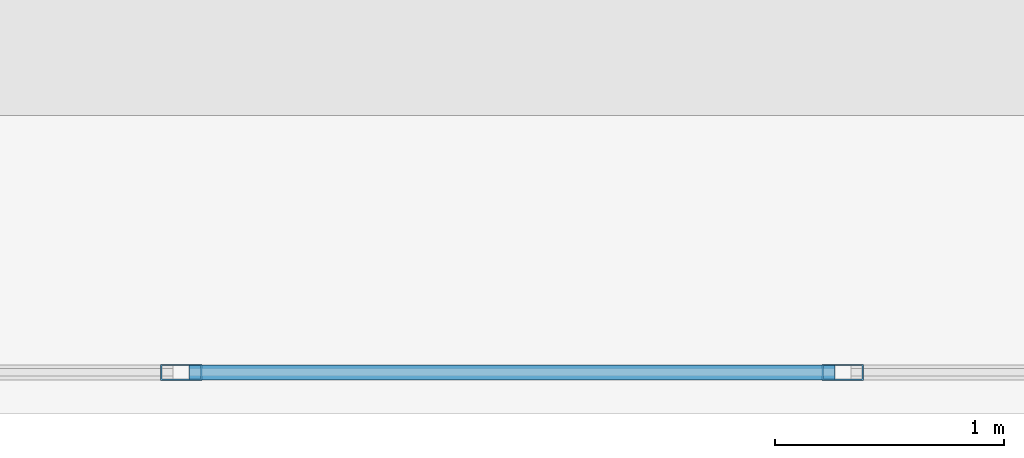
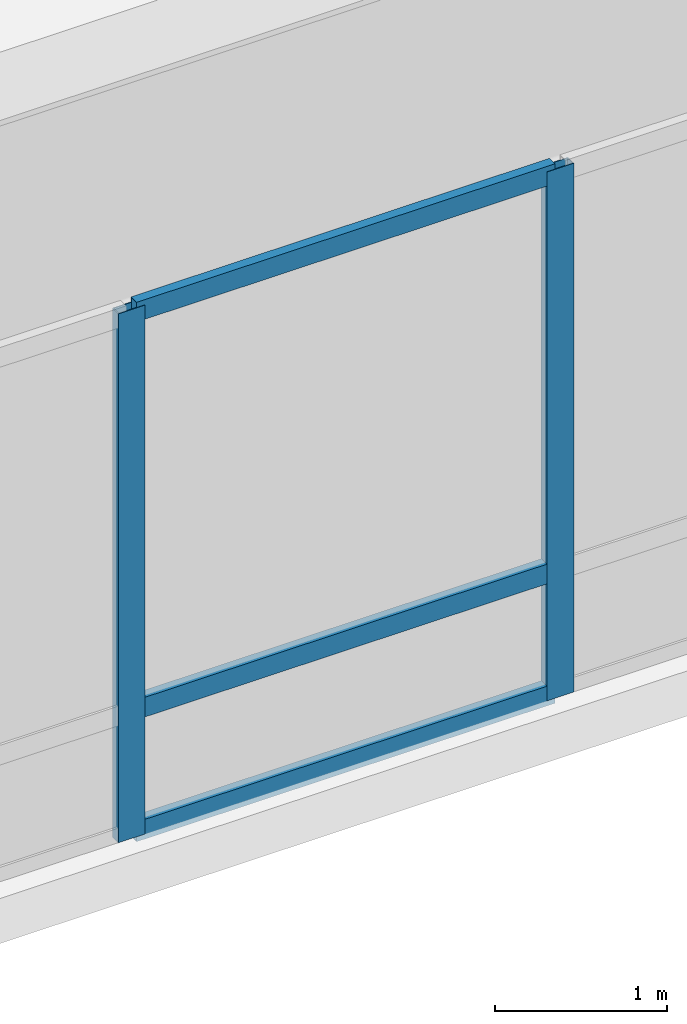
# One storey, part 6 of 17: 5 members, 1 element without a shape of its own.
"""IFC4 building model written with IfcOpenShell, lengths in metres."""

from ifc_helpers import new_model, si_unit, direction, frame, origin, origin_2d, place, context, subcontext, project, spatial, hollow_rectangle, extrude, material, layer, layer_set, material_profile, profile_set, type_object, element, aggregate, save


model = new_model("IFC4")

# Units and contexts
model_context = context("Model", 3, precision=1e-05, world=origin(), true_north=direction((0.0, 1.0)))
body_context = subcontext(model_context, "Body", "Model", "MODEL_VIEW")
ifc_project = project(units=[si_unit("LENGTHUNIT", "METRE"), si_unit("AREAUNIT", "SQUARE_METRE"), si_unit("VOLUMEUNIT", "CUBIC_METRE"), si_unit("PLANEANGLEUNIT", "RADIAN"), si_unit("MASSUNIT", "GRAM", prefix="KILO"), si_unit("THERMODYNAMICTEMPERATUREUNIT", "KELVIN"), si_unit("POWERUNIT", "WATT")], contexts=[model_context])

# Site, building, storey
site_placement = place(None, origin())
site = spatial("IfcSite", under=ifc_project, at=site_placement, CompositionType="ELEMENT")
building_placement = place(site_placement, origin())
building = spatial("IfcBuilding", under=site, at=building_placement, Name="Ocrelia Relay Tower", CompositionType="ELEMENT")
storey_placement = place(building_placement, frame((0.0, 0.0, 15.60009765625)))
storey = spatial("IfcBuildingStorey", under=building, at=storey_placement, Name="L03", CompositionType="ELEMENT", Elevation=15.60009765625)

# Curtain wall, members
ifc_material_1 = material(Name="Aluminium and solar-control low-E glass", Category="aluminium")
ifc_layer = layer(ifc_material_1, 0.179931640625, Name="Aluminium and solar-control low-E glass")
ifc_layer_set = layer_set([ifc_layer], Name="Aluminium and solar-control low-E glass")
curtain_wall_type = type_object("IfcCurtainWallType", Name="CW-SYS-POD-GALL", PredefinedType="NOTDEFINED", material=ifc_layer_set)
curtain_wall_placement = place(storey_placement, origin())
curtain_wall = element("IfcCurtainWall", 1, at=curtain_wall_placement, inside=storey, type_object=curtain_wall_type, Name="L03 South Over-Arch Curtain Wall East", PredefinedType="NOTDEFINED")
ifc_material_2 = material(Name="Anodised bronze aluminium", Category="aluminium")
ifc_material_profile_1 = material_profile(ifc_material_2, hollow_rectangle(XDim=0.070068359375, YDim=0.179931640625, WallThickness=0.006103515625, at=origin_2d()), Name="CW-MUL-180x70")
ifc_profile_set_1 = profile_set([ifc_material_profile_1], Name="Anodised bronze aluminium")
member_type_1 = type_object("IfcMemberType", Name="CW-SYS-POD-GALL-MUL", PredefinedType="MULLION", material=ifc_profile_set_1)
member_1_placement = place(storey_placement, frame((36.88330078125, 0.179931640625, 0.0), z_axis=(0.0, 0.0, 1.0), x_axis=(0.0, 1.0, 0.0)))
member_1 = element("IfcMember", 2, at=member_1_placement, type_object=member_type_1, Name="CW-PG mullion 2", PredefinedType="MULLION", context=body_context, shape_type="SweptSolid", body=[
    extrude(hollow_rectangle(XDim=0.070068359375, YDim=0.179931640625, WallThickness=0.006103515625, at=origin_2d()), origin(), (0.0, 0.0, 1.0), 3.760009765625),
])
member_2_placement = place(storey_placement, frame((39.7666015625, 0.179931640625, 0.0), z_axis=(0.0, 0.0, 1.0), x_axis=(0.0, 1.0, 0.0)))
member_2 = element("IfcMember", 3, at=member_2_placement, type_object=member_type_1, Name="CW-PG mullion 3", PredefinedType="MULLION", context=body_context, shape_type="SweptSolid", body=[
    extrude(hollow_rectangle(XDim=0.070068359375, YDim=0.179931640625, WallThickness=0.006103515625, at=origin_2d()), origin(), (0.0, 0.0, 1.0), 3.760009765625),
])
ifc_material_profile_2 = material_profile(ifc_material_2, hollow_rectangle(XDim=0.06494140625, YDim=0.139892578125, WallThickness=0.0048828125, at=origin_2d()), Name="CW-TRN-140x65")
ifc_profile_set_2 = profile_set([ifc_material_profile_2], Name="Anodised bronze aluminium")
member_type_2 = type_object("IfcMemberType", Name="CW-SYS-POD-GALL-TRN", PredefinedType="USERDEFINED", material=ifc_profile_set_2)
member_3_placement = place(storey_placement, frame((36.918212890625, 0.179931640625, 0.032470703125), z_axis=(1.0, 0.0, 0.0), x_axis=(0.0, 1.0, 0.0)))
member_3 = element("IfcMember", 4, at=member_3_placement, type_object=member_type_2, Name="CW-PG transom 2.1", ObjectType="TRANSOM", PredefinedType="USERDEFINED", context=body_context, shape_type="SweptSolid", body=[
    extrude(hollow_rectangle(XDim=0.06494140625, YDim=0.139892578125, WallThickness=0.0048828125, at=origin_2d()), origin(), (0.0, 0.0, 1.0), 2.8134765625),
])
member_4_placement = place(storey_placement, frame((36.918212890625, 0.179931640625, 0.89990234375), z_axis=(1.0, 0.0, 0.0), x_axis=(0.0, 1.0, 0.0)))
member_4 = element("IfcMember", 5, at=member_4_placement, type_object=member_type_2, Name="CW-PG transom 2.2", ObjectType="TRANSOM", PredefinedType="USERDEFINED", context=body_context, shape_type="SweptSolid", body=[
    extrude(hollow_rectangle(XDim=0.06494140625, YDim=0.139892578125, WallThickness=0.0048828125, at=origin_2d()), origin(), (0.0, 0.0, 1.0), 2.8134765625),
])
member_5_placement = place(storey_placement, frame((36.918212890625, 0.179931640625, 3.727294921875), z_axis=(1.0, 0.0, 0.0), x_axis=(0.0, 1.0, 0.0)))
member_5 = element("IfcMember", 6, at=member_5_placement, type_object=member_type_2, Name="CW-PG transom 2.3", ObjectType="TRANSOM", PredefinedType="USERDEFINED", context=body_context, shape_type="SweptSolid", body=[
    extrude(hollow_rectangle(XDim=0.06494140625, YDim=0.139892578125, WallThickness=0.0048828125, at=origin_2d()), origin(), (0.0, 0.0, 1.0), 2.8134765625),
])
aggregate(curtain_wall, [member_1, member_2, member_3, member_4, member_5])

save(model, "model.ifc")
